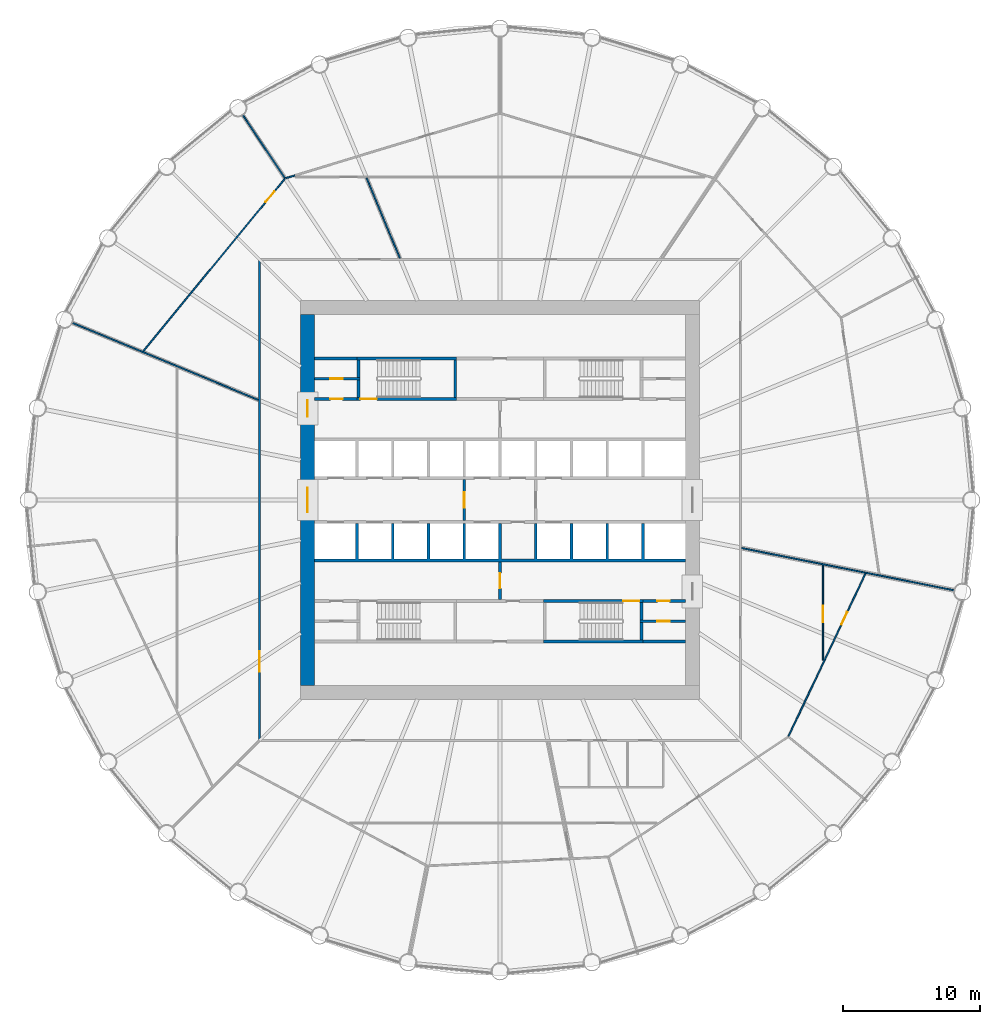
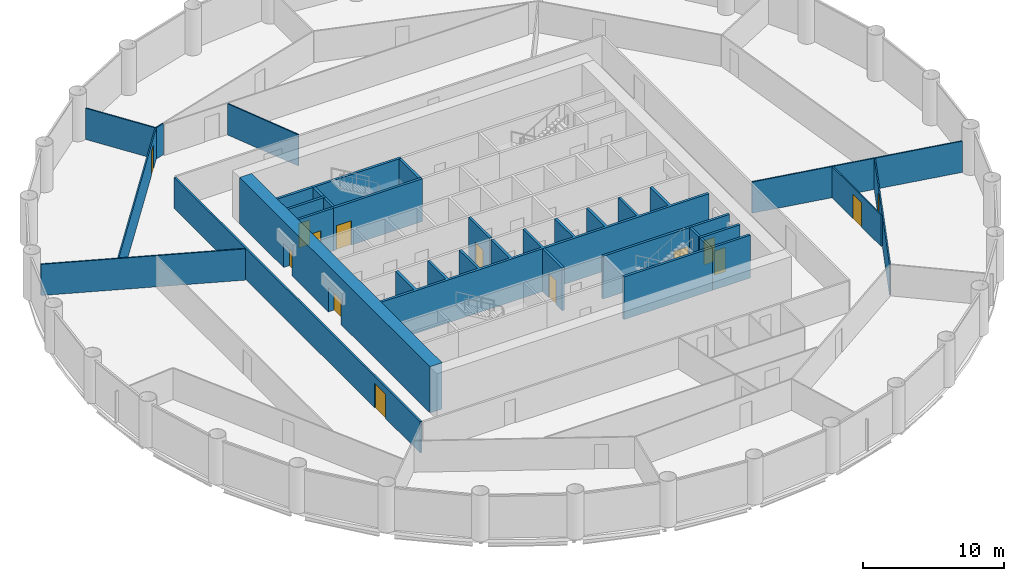
# One storey, part 5 of 8: 28 walls, 14 doors, 14 openings.
"""IFC4 building model written with IfcOpenShell, lengths in metres."""

import ifcopenshell
import ifcopenshell.guid

model = None  # the IFC model being written
_history = None  # IfcOwnerHistory: only IFC2X3 demands one
_inside = {}  # id of a spatial element -> (the spatial element, [elements in it])
_under = {}  # id of a project, library or spatial element -> (it, [spatial elements below it])
_declared = {}  # id of a project -> (the project, [libraries it declares])
_typed = {}  # id of a type object -> (the type object, [elements of that type])
_made_of = {}  # id of a material, layer set ... -> (it, [elements and type objects made of it])


def new_model(schema):
    """Start an empty IFC model of exactly this schema.

    Asked for "IFC4X3", IfcOpenShell would pick the latest addendum, in which some entities
    have other attributes; the version numbers below select the first issue.
    IFC2X3 requires an IfcOwnerHistory on every rooted entity: one is made here for all.
    """
    global model, _history
    if schema == "IFC4X3":
        model = ifcopenshell.file(schema_version=(4, 3, 0, 0))
    else:
        model = ifcopenshell.file(schema=schema)
    _inside.clear()
    _under.clear()
    _declared.clear()
    _typed.clear()
    _made_of.clear()
    _history = None
    if model.schema == "IFC2X3":
        org = make("IfcOrganization", Name="unknown")
        user = make(
            "IfcPersonAndOrganization",
            ThePerson=make("IfcPerson", FamilyName="unknown"),
            TheOrganization=org,
        )
        app = make(
            "IfcApplication",
            ApplicationDeveloper=org,
            Version="unknown",
            ApplicationFullName="unknown",
            ApplicationIdentifier="unknown",
        )
        _history = make(
            "IfcOwnerHistory",
            OwningUser=user,
            OwningApplication=app,
            ChangeAction="ADDED",
            CreationDate=0,
        )
    return model


def make(cls, **values):
    """One entity of the class cls with the attributes given. An attribute that is None is left unset."""
    return model.create_entity(
        cls, **{name: value for name, value in values.items() if value is not None}
    )


def rooted(cls, **values):
    """An entity with a GlobalId (a new one), such as an element, a storey or a relation."""
    return make(cls, GlobalId=ifcopenshell.guid.new(), OwnerHistory=_history, **values)


def si_unit(unit_type, name, prefix=None):
    """IfcSIUnit, for example si_unit("LENGTHUNIT", "METRE", prefix="MILLI")."""
    return make("IfcSIUnit", UnitType=unit_type, Prefix=prefix, Name=name)


def assignment(units):
    """IfcUnitAssignment: the units of a project."""
    return None if units is None else make("IfcUnitAssignment", Units=units)


def point(xyz):
    """IfcCartesianPoint."""
    return None if xyz is None else make("IfcCartesianPoint", Coordinates=xyz)


def direction(xyz):
    """IfcDirection."""
    return None if xyz is None else make("IfcDirection", DirectionRatios=xyz)


def frame(location, z_axis=None, x_axis=None):
    """IfcAxis2Placement3D, a coordinate frame: its origin and axes. An axis left out is left unset."""
    return make(
        "IfcAxis2Placement3D",
        Location=point(location),
        Axis=direction(z_axis),
        RefDirection=direction(x_axis),
    )


def frame_2d(location, x_axis=None):
    """IfcAxis2Placement2D, a coordinate frame in the plane: its origin and x axis."""
    return make(
        "IfcAxis2Placement2D", Location=point(location), RefDirection=direction(x_axis)
    )


def origin():
    """The frame at (0, 0, 0) with its axes left unset."""
    return frame((0.0, 0.0, 0.0))


def place(relative_to, where):
    """IfcLocalPlacement: puts the frame where relative to a parent placement (None: the world)."""
    return make(
        "IfcLocalPlacement", PlacementRelTo=relative_to, RelativePlacement=where
    )


def context(
    kind, dimensions, precision=None, world=None, true_north=None, identifier=None
):
    """IfcGeometricRepresentationContext, for example the 3D "Model" context."""
    return make(
        "IfcGeometricRepresentationContext",
        ContextIdentifier=identifier,
        ContextType=kind,
        CoordinateSpaceDimension=dimensions,
        Precision=precision,
        WorldCoordinateSystem=world,
        TrueNorth=true_north,
    )


def subcontext(parent, identifier, kind, view, scale=None):
    """IfcGeometricRepresentationSubContext, for example "Body" below "Model"."""
    return make(
        "IfcGeometricRepresentationSubContext",
        ContextIdentifier=identifier,
        ContextType=kind,
        ParentContext=parent,
        TargetScale=scale,
        TargetView=view,
    )


def project(units=None, contexts=None):
    """IfcProject with its units and contexts."""
    return rooted(
        "IfcProject",
        Name="project",
        RepresentationContexts=contexts,
        UnitsInContext=assignment(units),
    )


def spatial(cls, under=None, at=None, **own):
    """A site, building, storey or space (cls), placed at a placement, below another one or the project."""
    s = rooted(cls, ObjectPlacement=at, **own)
    if under is not None:
        _under.setdefault(under.id(), (under, []))[1].append(s)
    return s


def polyline(points):
    """IfcPolyline through the points."""
    return make("IfcPolyline", Points=[point(p) for p in points])


def profile(cls, at=None, kind="AREA", **sizes):
    """A parametric profile (cls). Its sizes go by their IFC names, for example OverallWidth=200.0."""
    return make(cls, ProfileType=kind, Position=at, **sizes)


def rectangle(**sizes):
    """IfcRectangleProfileDef."""
    return profile("IfcRectangleProfileDef", **sizes)


def outline(outer, holes=None, kind="AREA"):
    """IfcArbitraryClosedProfileDef: a profile drawn as a closed curve; with holes, ...WithVoids."""
    if holes is None:
        return make("IfcArbitraryClosedProfileDef", ProfileType=kind, OuterCurve=outer)
    return make(
        "IfcArbitraryProfileDefWithVoids",
        ProfileType=kind,
        OuterCurve=outer,
        InnerCurves=holes,
    )


def extrude(swept, where, along, depth):
    """IfcExtrudedAreaSolid: the profile swept, set in the frame where, extruded along a direction by depth."""
    return make(
        "IfcExtrudedAreaSolid",
        SweptArea=swept,
        Position=where,
        ExtrudedDirection=direction(along),
        Depth=depth,
    )


def shape(context_of_items, identifier, shape_type, items):
    """IfcShapeRepresentation: the items that make up one representation, for example the "Body"."""
    return make(
        "IfcShapeRepresentation",
        ContextOfItems=context_of_items,
        RepresentationIdentifier=identifier,
        RepresentationType=shape_type,
        Items=items,
    )


def material(Name=None, Category=None):
    """IfcMaterial."""
    return make("IfcMaterial", Name=Name, Category=Category)


def layer(
    of_material, thickness, ventilated=None, Name=None, Category=None, Priority=None
):
    """IfcMaterialLayer: one layer of a wall or slab, of a material (None: an air gap)."""
    return make(
        "IfcMaterialLayer",
        Material=of_material,
        LayerThickness=thickness,
        IsVentilated=ventilated,
        Name=Name,
        Category=Category,
        Priority=Priority,
    )


def layer_set(layers, Name=None):
    """IfcMaterialLayerSet."""
    return make("IfcMaterialLayerSet", MaterialLayers=layers, LayerSetName=Name)


def made_of(thing, what):
    """Note that an element or type object is made of a material, layer set ...; save() writes the relation."""
    if what is not None:
        _made_of.setdefault(what.id(), (what, []))[1].append(thing)
    return thing


def type_object(cls, material=None, **own):
    """A type object (cls), such as IfcWallType, which elements share."""
    return made_of(rooted(cls, **own), material)


def element(
    cls,
    number,
    at=None,
    inside=None,
    cuts=None,
    type_object=None,
    material=None,
    context=None,
    identifier="Body",
    shape_type=None,
    held_by="IfcProductDefinitionShape",
    body=None,
    shapes=None,
    **own,
):
    """One element of the class cls, such as IfcWall. Its Tag is "e" and its number.

    at: its placement. inside: the storey or other place that contains it. cuts: it is an
    opening in that element (IfcRelVoidsElement). A single representation is given by context,
    identifier, shape_type and body (its items); several are given by shapes. held_by: the class
    of the entity that holds the representations. save() writes the other relations.
    """
    e = rooted(cls, Tag="e%d" % number, ObjectPlacement=at, **own)
    if body is not None:
        shapes = [shape(context, identifier, shape_type, body)]
    if shapes is not None:
        e.Representation = make(held_by, Representations=shapes)
    if inside is not None:
        _inside.setdefault(inside.id(), (inside, []))[1].append(e)
    if cuts is not None:
        rooted(
            "IfcRelVoidsElement", RelatingBuildingElement=cuts, RelatedOpeningElement=e
        )
    if type_object is not None:
        _typed.setdefault(type_object.id(), (type_object, []))[1].append(e)
    return made_of(e, material)


def fill(opening, filler):
    """IfcRelFillsElement: the door or window that sits in an opening."""
    return rooted(
        "IfcRelFillsElement",
        RelatingOpeningElement=opening,
        RelatedBuildingElement=filler,
    )


def aggregate(whole, parts):
    """IfcRelAggregates: a whole, such as a stair, and the parts it consists of."""
    return rooted("IfcRelAggregates", RelatingObject=whole, RelatedObjects=parts)


def save(model, path):
    """Write the relations noted so far, then the file.

    IfcRelAggregates (storeys below a building ...), IfcRelContainedInSpatialStructure (elements
    in a storey), IfcRelDefinesByType, IfcRelAssociatesMaterial and IfcRelDeclares: one each for
    every whole, place, type object, material and project.
    """
    for whole, parts in _under.values():
        aggregate(whole, parts)
    for where, things in _inside.values():
        rooted(
            "IfcRelContainedInSpatialStructure",
            RelatedElements=things,
            RelatingStructure=where,
        )
    for kind, things in _typed.values():
        rooted("IfcRelDefinesByType", RelatedObjects=things, RelatingType=kind)
    for what, things in _made_of.values():
        rooted("IfcRelAssociatesMaterial", RelatedObjects=things, RelatingMaterial=what)
    for by, libraries in _declared.values():
        rooted("IfcRelDeclares", RelatingContext=by, RelatedDefinitions=libraries)
    model.write(path)


model = new_model("IFC4")

# Units and contexts
model_context = context("Model", 3, precision=1e-05, world=origin(), true_north=direction((0.0, 1.0)))
body_context = subcontext(model_context, "Body", "Model", "MODEL_VIEW")
ifc_project = project(units=[si_unit("LENGTHUNIT", "METRE"), si_unit("AREAUNIT", "SQUARE_METRE"), si_unit("VOLUMEUNIT", "CUBIC_METRE"), si_unit("PLANEANGLEUNIT", "RADIAN"), si_unit("MASSUNIT", "GRAM", prefix="KILO")], contexts=[model_context])

# Site, building, storey
site_placement = place(None, origin())
site = spatial("IfcSite", under=ifc_project, at=site_placement, CompositionType="ELEMENT")
building_placement = place(site_placement, origin())
building = spatial("IfcBuilding", under=site, at=building_placement, Name="Corvane Civic Tower", CompositionType="ELEMENT")
storey_placement = place(building_placement, frame((0.0, 0.0, 94.5)))
storey = spatial("IfcBuildingStorey", under=building, at=storey_placement, Name="L21", CompositionType="ELEMENT", Elevation=94.5)

# Wall, openings, doors
ifc_material_1 = material(Name="Concrete C70/85", Category="concrete")
ifc_layer_1 = layer(ifc_material_1, 1.0)
ifc_layer_set_1 = layer_set([ifc_layer_1], Name="Concrete C70/85")
wall_type_1 = type_object("IfcWallType", Name="CORE WALL 1000 C70/85", PredefinedType="SHEAR", material=ifc_layer_set_1)
wall_1_placement = place(storey_placement, frame((-14.0, -13.5, 0.0), z_axis=(0.0, 0.0, 1.0), x_axis=(0.0, 1.0, 0.0)))
wall_1 = element("IfcWall", 1, at=wall_1_placement, inside=storey, type_object=wall_type_1, Name="W-L21-core-W", PredefinedType="SHEAR", context=body_context, shape_type="SweptSolid", body=[
    extrude(rectangle(XDim=27.0, YDim=1.0, at=frame_2d((13.5, 0.0))), origin(), (0.0, 0.0, 1.0), 4.0),
])
opening_1_placement = place(wall_1_placement, frame((12.60009765625, 0.0, 0.0)))
opening_1 = element("IfcOpeningElement", 2, at=opening_1_placement, cuts=wall_1, Name="Opening L21.C22", PredefinedType="OPENING", context=body_context, shape_type="SweptSolid", body=[
    extrude(rectangle(XDim=1.800048828125, YDim=2.10009765625, at=frame_2d((0.89990234375, 1.050048828125))), frame((0.0, 0.510009765625, 0.0), z_axis=(0.0, -1.0, 0.0), x_axis=(1.0, 0.0, 0.0)), (0.0, 0.0, 1.0), 1.02001953125),
])
opening_2_placement = place(wall_1_placement, frame((19.550048828125, 0.0, 0.0)))
opening_2 = element("IfcOpeningElement", 3, at=opening_2_placement, cuts=wall_1, Name="Opening L21.C24", PredefinedType="OPENING", context=body_context, shape_type="SweptSolid", body=[
    extrude(rectangle(XDim=1.199951171875, YDim=2.10009765625, at=frame_2d((0.60009765625, 1.050048828125))), frame((0.0, 0.510009765625, 0.0), z_axis=(0.0, -1.0, 0.0), x_axis=(1.0, 0.0, 0.0)), (0.0, 0.0, 1.0), 1.02001953125),
])
ifc_material_2 = material(Name="Steel fire door leaf", Category="steel")
door_type_1 = type_object("IfcDoorType", Name="CR-DOOR-CORE-1800", OperationType="DOUBLE_DOOR_SINGLE_SWING", PredefinedType="DOOR", material=ifc_material_2)
door_1_placement = place(opening_1_placement, origin())
door_1 = element("IfcDoor", 4, at=door_1_placement, inside=storey, type_object=door_type_1, Name="L21 door", OperationType="DOUBLE_DOOR_SINGLE_SWING", OverallHeight=2.10009765625, OverallWidth=1.800048828125, PredefinedType="DOOR", context=body_context, shape_type="SweptSolid", body=[
    extrude(rectangle(XDim=1.800048828125, YDim=2.10009765625, at=frame_2d((0.89990234375, 1.050048828125))), frame((0.0, 0.02490234375, 0.0), z_axis=(0.0, -1.0, 0.0), x_axis=(1.0, 0.0, 0.0)), (0.0, 0.0, 1.0), 0.050048828125),
])
fill(opening_1, door_1)
door_2_placement = place(opening_2_placement, origin())
door_2 = element("IfcDoor", 5, at=door_2_placement, inside=storey, type_object=door_type_1, Name="L21 door", OperationType="DOUBLE_DOOR_SINGLE_SWING", OverallHeight=2.10009765625, OverallWidth=1.199951171875, PredefinedType="DOOR", context=body_context, shape_type="SweptSolid", body=[
    extrude(rectangle(XDim=1.199951171875, YDim=2.10009765625, at=frame_2d((0.60009765625, 1.050048828125))), frame((0.0, 0.02490234375, 0.0), z_axis=(0.0, -1.0, 0.0), x_axis=(1.0, 0.0, 0.0)), (0.0, 0.0, 1.0), 0.050048828125),
])
fill(opening_2, door_2)

# Wall, opening, door
ifc_material_3 = material(Name="Concrete C30/37", Category="concrete")
ifc_layer_2 = layer(ifc_material_3, 0.199951171875)
ifc_layer_set_2 = layer_set([ifc_layer_2], Name="Concrete C30/37")
wall_type_2 = type_object("IfcWallType", Name="CR-WALL-200", PredefinedType="PARTITIONING", material=ifc_layer_set_2)
wall_2_placement = place(storey_placement, frame((10.199951171875, -8.824951171875, 0.0), z_axis=(0.0, 0.0, 1.0), x_axis=(1.0, 0.0, 0.0)))
wall_2 = element("IfcWall", 6, at=wall_2_placement, inside=storey, type_object=wall_type_2, Name="L21 partition wall", PredefinedType="PARTITIONING", context=body_context, shape_type="SweptSolid", body=[
    extrude(rectangle(XDim=3.300048828125, YDim=0.199951171875, at=frame_2d((1.64990234375, 0.0))), origin(), (0.0, 0.0, 1.0), 3.699951171875),
])
opening_3_placement = place(wall_2_placement, frame((1.25, 0.0, 0.0)))
opening_3 = element("IfcOpeningElement", 7, at=opening_3_placement, cuts=wall_2, Name="Opening L21.C13", PredefinedType="OPENING", context=body_context, shape_type="SweptSolid", body=[
    extrude(rectangle(XDim=0.89990234375, YDim=2.10009765625, at=frame_2d((0.449951171875, 1.050048828125))), frame((0.0, 0.10986328125, 0.0), z_axis=(0.0, -1.0, 0.0), x_axis=(1.0, 0.0, 0.0)), (0.0, 0.0, 1.0), 0.219970703125),
])
ifc_material_4 = material(Name="Steel fire door leaf", Category="steel")
door_type_2 = type_object("IfcDoorType", Name="CR-DOOR-900", OperationType="SINGLE_SWING_LEFT", PredefinedType="DOOR", material=ifc_material_4)
door_3_placement = place(opening_3_placement, origin())
door_3 = element("IfcDoor", 8, at=door_3_placement, inside=storey, type_object=door_type_2, Name="L21 door", OperationType="SINGLE_SWING_LEFT", OverallHeight=2.10009765625, OverallWidth=0.89990234375, PredefinedType="DOOR", context=body_context, shape_type="SweptSolid", body=[
    extrude(rectangle(XDim=0.89990234375, YDim=2.10009765625, at=frame_2d((0.449951171875, 1.050048828125))), frame((0.0, 0.02490234375, 0.0), z_axis=(0.0, -1.0, 0.0), x_axis=(1.0, 0.0, 0.0)), (0.0, 0.0, 1.0), 0.050048828125),
])
fill(opening_3, door_3)

wall_3_placement = place(storey_placement, frame((10.39990234375, -7.35009765625, 0.0), z_axis=(0.0, 0.0, 1.0), x_axis=(1.0, 0.0, 0.0)))
wall_3 = element("IfcWall", 9, at=wall_3_placement, inside=storey, type_object=wall_type_2, Name="L21 core partition wall", PredefinedType="PARTITIONING", context=body_context, shape_type="SweptSolid", body=[
    extrude(rectangle(XDim=3.10009765625, YDim=0.199951171875, at=frame_2d((1.550048828125, 0.0))), origin(), (0.0, 0.0, 1.0), 3.699951171875),
])
opening_4_placement = place(wall_3_placement, frame((1.050048828125, 0.0, 0.0)))
opening_4 = element("IfcOpeningElement", 10, at=opening_4_placement, cuts=wall_3, Name="Opening L21.C12", PredefinedType="OPENING", context=body_context, shape_type="SweptSolid", body=[
    extrude(rectangle(XDim=0.89990234375, YDim=2.10009765625, at=frame_2d((0.449951171875, 1.050048828125))), frame((0.0, 0.10986328125, 0.0), z_axis=(0.0, -1.0, 0.0), x_axis=(1.0, 0.0, 0.0)), (0.0, 0.0, 1.0), 0.219970703125),
])
door_4_placement = place(opening_4_placement, origin())
door_4 = element("IfcDoor", 11, at=door_4_placement, inside=storey, type_object=door_type_2, Name="L21 door", OperationType="SINGLE_SWING_LEFT", OverallHeight=2.10009765625, OverallWidth=0.89990234375, PredefinedType="DOOR", context=body_context, shape_type="SweptSolid", body=[
    extrude(rectangle(XDim=0.89990234375, YDim=2.10009765625, at=frame_2d((0.449951171875, 1.050048828125))), frame((0.0, 0.02490234375, 0.0), z_axis=(0.0, -1.0, 0.0), x_axis=(1.0, 0.0, 0.0)), (0.0, 0.0, 1.0), 0.050048828125),
])
fill(opening_4, door_4)

wall_4_placement = place(storey_placement, frame((-13.5, 7.35009765625, 0.0), z_axis=(0.0, 0.0, 1.0), x_axis=(1.0, 0.0, 0.0)))
wall_4 = element("IfcWall", 12, at=wall_4_placement, inside=storey, type_object=wall_type_2, Name="L21 core partition wall", PredefinedType="PARTITIONING", context=body_context, shape_type="SweptSolid", body=[
    extrude(rectangle(XDim=3.10009765625, YDim=0.199951171875, at=frame_2d((1.550048828125, 0.0))), origin(), (0.0, 0.0, 1.0), 3.699951171875),
])
opening_5_placement = place(wall_4_placement, frame((1.14990234375, 0.0, 0.0)))
opening_5 = element("IfcOpeningElement", 13, at=opening_5_placement, cuts=wall_4, Name="Opening L21.C06", PredefinedType="OPENING", context=body_context, shape_type="SweptSolid", body=[
    extrude(rectangle(XDim=0.89990234375, YDim=2.10009765625, at=frame_2d((0.449951171875, 1.050048828125))), frame((0.0, 0.10986328125, 0.0), z_axis=(0.0, -1.0, 0.0), x_axis=(1.0, 0.0, 0.0)), (0.0, 0.0, 1.0), 0.219970703125),
])
door_5_placement = place(opening_5_placement, origin())
door_5 = element("IfcDoor", 14, at=door_5_placement, inside=storey, type_object=door_type_2, Name="L21 door", OperationType="SINGLE_SWING_LEFT", OverallHeight=2.10009765625, OverallWidth=0.89990234375, PredefinedType="DOOR", context=body_context, shape_type="SweptSolid", body=[
    extrude(rectangle(XDim=0.89990234375, YDim=2.10009765625, at=frame_2d((0.449951171875, 1.050048828125))), frame((0.0, 0.02490234375, 0.0), z_axis=(0.0, -1.0, 0.0), x_axis=(1.0, 0.0, 0.0)), (0.0, 0.0, 1.0), 0.050048828125),
])
fill(opening_5, door_5)

wall_5_placement = place(storey_placement, frame((-13.5, 8.824951171875, 0.0), z_axis=(0.0, 0.0, 1.0), x_axis=(1.0, 0.0, 0.0)))
wall_5 = element("IfcWall", 15, at=wall_5_placement, inside=storey, type_object=wall_type_2, Name="L21 partition wall", PredefinedType="PARTITIONING", context=body_context, shape_type="SweptSolid", body=[
    extrude(rectangle(XDim=3.300048828125, YDim=0.199951171875, at=frame_2d((1.64990234375, 0.0))), origin(), (0.0, 0.0, 1.0), 3.699951171875),
])
opening_6_placement = place(wall_5_placement, frame((1.14990234375, 0.0, 0.0)))
opening_6 = element("IfcOpeningElement", 16, at=opening_6_placement, cuts=wall_5, Name="Opening L21.C07", PredefinedType="OPENING", context=body_context, shape_type="SweptSolid", body=[
    extrude(rectangle(XDim=0.89990234375, YDim=2.10009765625, at=frame_2d((0.449951171875, 1.050048828125))), frame((0.0, 0.10986328125, 0.0), z_axis=(0.0, -1.0, 0.0), x_axis=(1.0, 0.0, 0.0)), (0.0, 0.0, 1.0), 0.219970703125),
])
door_6_placement = place(opening_6_placement, origin())
door_6 = element("IfcDoor", 17, at=door_6_placement, inside=storey, type_object=door_type_2, Name="L21 door", OperationType="SINGLE_SWING_LEFT", OverallHeight=2.10009765625, OverallWidth=0.89990234375, PredefinedType="DOOR", context=body_context, shape_type="SweptSolid", body=[
    extrude(rectangle(XDim=0.89990234375, YDim=2.10009765625, at=frame_2d((0.449951171875, 1.050048828125))), frame((0.0, 0.02490234375, 0.0), z_axis=(0.0, -1.0, 0.0), x_axis=(1.0, 0.0, 0.0)), (0.0, 0.0, 1.0), 0.050048828125),
])
fill(opening_6, door_6)

wall_6_placement = place(storey_placement, frame((-2.60009765625, -1.5, 0.0), z_axis=(0.0, 0.0, 1.0), x_axis=(0.0, 1.0, 0.0)))
wall_6 = element("IfcWall", 18, at=wall_6_placement, inside=storey, type_object=wall_type_2, Name="L21 firefighting lobby wall", PredefinedType="PARTITIONING", context=body_context, shape_type="SweptSolid", body=[
    extrude(rectangle(XDim=3.0, YDim=0.199951171875, at=frame_2d((1.5, 0.0))), origin(), (0.0, 0.0, 1.0), 3.699951171875),
])
opening_7_placement = place(wall_6_placement, frame((0.949951171875, 0.0, 0.0)))
opening_7 = element("IfcOpeningElement", 19, at=opening_7_placement, cuts=wall_6, Name="Opening L21.C18", PredefinedType="OPENING", context=body_context, shape_type="SweptSolid", body=[
    extrude(rectangle(XDim=1.10009765625, YDim=2.10009765625, at=frame_2d((0.550048828125, 1.050048828125))), frame((0.0, 0.10986328125, 0.0), z_axis=(0.0, -1.0, 0.0), x_axis=(1.0, 0.0, 0.0)), (0.0, 0.0, 1.0), 0.219970703125),
])
ifc_material_5 = material(Name="Steel fire door leaf", Category="steel")
door_type_3 = type_object("IfcDoorType", Name="CR-DOOR-FFL-1100", OperationType="SINGLE_SWING_LEFT", PredefinedType="DOOR", material=ifc_material_5)
door_7_placement = place(opening_7_placement, origin())
door_7 = element("IfcDoor", 20, at=door_7_placement, inside=storey, type_object=door_type_3, Name="L21 lobby door", OperationType="SINGLE_SWING_LEFT", OverallHeight=2.10009765625, OverallWidth=1.10009765625, PredefinedType="DOOR", context=body_context, shape_type="SweptSolid", body=[
    extrude(rectangle(XDim=1.10009765625, YDim=2.10009765625, at=frame_2d((0.550048828125, 1.050048828125))), frame((0.0, 0.02490234375, 0.0), z_axis=(0.0, -1.0, 0.0), x_axis=(1.0, 0.0, 0.0)), (0.0, 0.0, 1.0), 0.050048828125),
])
fill(opening_7, door_7)

wall_7_placement = place(storey_placement, frame((0.0, -7.25, 0.0), z_axis=(0.0, 0.0, 1.0), x_axis=(0.0, 1.0, 0.0)))
wall_7 = element("IfcWall", 21, at=wall_7_placement, inside=storey, type_object=wall_type_2, Name="L21 core partition wall", PredefinedType="PARTITIONING", context=body_context, shape_type="SweptSolid", body=[
    extrude(rectangle(XDim=2.75, YDim=0.199951171875, at=frame_2d((1.375, 0.0))), origin(), (0.0, 0.0, 1.0), 3.699951171875),
])
opening_8_placement = place(wall_7_placement, frame((0.824951171875, 0.0, 0.0)))
opening_8 = element("IfcOpeningElement", 22, at=opening_8_placement, cuts=wall_7, Name="Opening L21.C21", PredefinedType="OPENING", context=body_context, shape_type="SweptSolid", body=[
    extrude(rectangle(XDim=1.10009765625, YDim=2.10009765625, at=frame_2d((0.550048828125, 1.050048828125))), frame((0.0, 0.10986328125, 0.0), z_axis=(0.0, -1.0, 0.0), x_axis=(1.0, 0.0, 0.0)), (0.0, 0.0, 1.0), 0.219970703125),
])
door_8_placement = place(opening_8_placement, origin())
door_8 = element("IfcDoor", 23, at=door_8_placement, inside=storey, type_object=door_type_3, Name="L21 lobby door", OperationType="SINGLE_SWING_LEFT", OverallHeight=2.10009765625, OverallWidth=1.10009765625, PredefinedType="DOOR", context=body_context, shape_type="SweptSolid", body=[
    extrude(rectangle(XDim=1.10009765625, YDim=2.10009765625, at=frame_2d((0.550048828125, 1.050048828125))), frame((0.0, 0.02490234375, 0.0), z_axis=(0.0, -1.0, 0.0), x_axis=(1.0, 0.0, 0.0)), (0.0, 0.0, 1.0), 0.050048828125),
])
fill(opening_8, door_8)

# Walls
wall_8_placement = place(storey_placement, origin())
element("IfcWall", 24, at=wall_8_placement, inside=storey, type_object=wall_type_2, Name="L21 core partition wall", PredefinedType="PARTITIONING", context=body_context, shape_type="SweptSolid", body=[
    extrude(outline(polyline([(-13.5, 10.199951171875), (-13.5, 10.39990234375), (-10.39990234375, 10.39990234375), (-10.39990234375, 10.199951171875), (-13.5, 10.199951171875)])), origin(), (0.0, 0.0, 1.0), 3.699951171875),
])
wall_9_placement = place(storey_placement, origin())
element("IfcWall", 25, at=wall_9_placement, inside=storey, type_object=wall_type_2, Name="L21 core partition wall", PredefinedType="PARTITIONING", context=body_context, shape_type="SweptSolid", body=[
    extrude(outline(polyline([(-10.5, -1.699951171875), (-10.300048828125, -1.699951171875), (-10.300048828125, -4.300048828125), (-7.89990234375, -4.300048828125), (-7.89990234375, -1.699951171875), (-7.699951171875, -1.699951171875), (-7.699951171875, -4.300048828125), (-5.300048828125, -4.300048828125), (-5.300048828125, -1.699951171875), (-5.10009765625, -1.699951171875), (-5.10009765625, -4.300048828125), (-2.699951171875, -4.300048828125), (-2.699951171875, -1.699951171875), (-2.5, -1.699951171875), (-2.5, -4.300048828125), (-0.10009765625, -4.300048828125), (-0.10009765625, -1.699951171875), (0.10009765625, -1.699951171875), (0.10009765625, -4.300048828125), (2.5, -4.300048828125), (2.5, -1.699951171875), (2.699951171875, -1.699951171875), (2.699951171875, -4.300048828125), (5.10009765625, -4.300048828125), (5.10009765625, -1.699951171875), (5.300048828125, -1.699951171875), (5.300048828125, -4.300048828125), (7.699951171875, -4.300048828125), (7.699951171875, -1.699951171875), (7.89990234375, -1.699951171875), (7.89990234375, -4.300048828125), (10.300048828125, -4.300048828125), (10.300048828125, -1.699951171875), (10.5, -1.699951171875), (10.5, -4.300048828125), (13.5, -4.300048828125), (13.5, -4.5), (-13.5, -4.5), (-13.5, -4.300048828125), (-10.5, -4.300048828125), (-10.5, -1.699951171875)])), origin(), (0.0, 0.0, 1.0), 3.699951171875),
])
wall_10_placement = place(storey_placement, origin())
element("IfcWall", 26, at=wall_10_placement, inside=storey, type_object=wall_type_2, Name="L21 core partition wall", PredefinedType="PARTITIONING", context=body_context, shape_type="SweptSolid", body=[
    extrude(outline(polyline([(13.5, -10.39990234375), (10.39990234375, -10.39990234375), (10.39990234375, -10.199951171875), (13.5, -10.199951171875), (13.5, -10.39990234375)])), origin(), (0.0, 0.0, 1.0), 3.699951171875),
])

# Wall, opening, door
ifc_material_6 = material(Name="Plasterboard")
ifc_layer_3 = layer(ifc_material_6, 0.10009765625)
ifc_layer_set_3 = layer_set([ifc_layer_3], Name="Plasterboard")
wall_type_3 = type_object("IfcWallType", Name="Partition 100 plasterboard on studs", PredefinedType="PARTITIONING", material=ifc_layer_set_3)
wall_11_placement = place(storey_placement, frame((20.997314453125, -17.18310546875, 0.0), z_axis=(0.0, 0.0, 1.0), x_axis=(0.427532924297, 0.90399977801, 0.0)))
wall_11 = element("IfcWall", 27, at=wall_11_placement, inside=storey, type_object=wall_type_3, Name="Partition L21.019", PredefinedType="PARTITIONING", context=body_context, shape_type="SweptSolid", body=[
    extrude(rectangle(XDim=13.086669921875, YDim=0.10009765625, at=frame_2d((6.54345703125, 0.0))), origin(), (0.0, 0.0, 1.0), 2.699951171875),
])
opening_9_placement = place(wall_11_placement, frame((8.99072265625, 0.0, 0.0)))
opening_9 = element("IfcOpeningElement", 28, at=opening_9_placement, cuts=wall_11, Name="Opening L21.013", PredefinedType="OPENING", context=body_context, shape_type="SweptSolid", body=[
    extrude(rectangle(XDim=1.0, YDim=2.10009765625, at=frame_2d((0.5, 1.050048828125))), frame((0.0, 0.06005859375, 0.0), z_axis=(0.0, -1.0, 0.0), x_axis=(1.0, 0.0, 0.0)), (0.0, 0.0, 1.0), 0.1201171875),
])
ifc_material_7 = material(Name="Timber", Category="wood")
door_type_4 = type_object("IfcDoorType", Name="Single door 1000", OperationType="NOTDEFINED", PredefinedType="DOOR", material=ifc_material_7)
door_9_placement = place(opening_9_placement, frame((1.0, 0.0, 0.0), z_axis=(0.0, 0.0, 1.0), x_axis=(-1.0, 0.0, 0.0)))
door_9 = element("IfcDoor", 29, at=door_9_placement, inside=storey, type_object=door_type_4, Name="Door L21.013", OperationType="SINGLE_SWING_LEFT", OverallHeight=2.10009765625, OverallWidth=1.0, PredefinedType="DOOR", context=body_context, shape_type="SweptSolid", body=[
    extrude(rectangle(XDim=1.0, YDim=2.10009765625, at=frame_2d((0.5, 1.050048828125))), frame((0.0, 0.02490234375, 0.0), z_axis=(0.0, -1.0, 0.0), x_axis=(1.0, 0.0, 0.0)), (0.0, 0.0, 1.0), 0.050048828125),
])
fill(opening_9, door_9)

wall_12_placement = place(storey_placement, frame((23.5, -11.668701171875, 0.0), z_axis=(0.0, 0.0, 1.0), x_axis=(0.0, 1.0, 0.0)))
wall_12 = element("IfcWall", 30, at=wall_12_placement, inside=storey, type_object=wall_type_3, Name="Partition L21.021", PredefinedType="PARTITIONING", context=body_context, shape_type="SweptSolid", body=[
    extrude(rectangle(XDim=6.933349609375, YDim=0.10009765625, at=frame_2d((3.466796875, 0.0))), origin(), (0.0, 0.0, 1.0), 2.699951171875),
])
opening_10_placement = place(wall_12_placement, frame((2.785888671875, 0.0, 0.0)))
opening_10 = element("IfcOpeningElement", 31, at=opening_10_placement, cuts=wall_12, Name="Opening L21.018", PredefinedType="OPENING", context=body_context, shape_type="SweptSolid", body=[
    extrude(rectangle(XDim=1.199951171875, YDim=2.10009765625, at=frame_2d((0.60009765625, 1.050048828125))), frame((0.0, 0.06005859375, 0.0), z_axis=(0.0, -1.0, 0.0), x_axis=(1.0, 0.0, 0.0)), (0.0, 0.0, 1.0), 0.1201171875),
])
ifc_material_8 = material(Name="Timber", Category="wood")
door_type_5 = type_object("IfcDoorType", Name="Double door 1200", OperationType="NOTDEFINED", PredefinedType="DOOR", material=ifc_material_8)
door_10_placement = place(opening_10_placement, frame((1.199951171875, 0.0, 0.0), z_axis=(0.0, 0.0, 1.0), x_axis=(-1.0, 0.0, 0.0)))
door_10 = element("IfcDoor", 32, at=door_10_placement, inside=storey, type_object=door_type_5, Name="Door L21.018", OperationType="DOUBLE_DOOR_SINGLE_SWING", OverallHeight=2.10009765625, OverallWidth=1.199951171875, PredefinedType="DOOR", context=body_context, shape_type="SweptSolid", body=[
    extrude(rectangle(XDim=1.199951171875, YDim=2.10009765625, at=frame_2d((0.60009765625, 1.050048828125))), frame((0.0, 0.02490234375, 0.0), z_axis=(0.0, -1.0, 0.0), x_axis=(1.0, 0.0, 0.0)), (0.0, 0.0, 1.0), 0.050048828125),
])
fill(opening_10, door_10)

# Walls
wall_13_placement = place(storey_placement, frame((17.584716796875, -3.497802734375, 0.0), z_axis=(0.0, 0.0, 1.0), x_axis=(0.980786008626, -0.195086660958, 0.0)))
element("IfcWall", 33, at=wall_13_placement, inside=storey, type_object=wall_type_3, Name="Partition L21.022", PredefinedType="PARTITIONING", context=body_context, shape_type="SweptSolid", body=[
    extrude(rectangle(XDim=15.735595703125, YDim=0.10009765625, at=frame_2d((7.86767578125, 0.0))), origin(), (0.0, 0.0, 1.0), 2.699951171875),
])
wall_14_placement = place(storey_placement, frame((-31.102294921875, 12.883056640625, 0.0), z_axis=(0.0, 0.0, 1.0), x_axis=(0.923876205311, -0.382691464839, 0.0)))
element("IfcWall", 34, at=wall_14_placement, inside=storey, type_object=wall_type_3, Name="Partition L21.025", PredefinedType="PARTITIONING", context=body_context, shape_type="SweptSolid", body=[
    extrude(rectangle(XDim=14.621337890625, YDim=0.10009765625, at=frame_2d((7.310546875, 0.0))), origin(), (0.0, 0.0, 1.0), 2.699951171875),
])

# Wall, opening, door
wall_15_placement = place(storey_placement, frame((-25.95751953125, 10.82177734375, 0.0), z_axis=(0.0, 0.0, 1.0), x_axis=(0.634388510602, 0.773014370899, 0.0)))
wall_15 = element("IfcWall", 35, at=wall_15_placement, inside=storey, type_object=wall_type_3, Name="Partition L21.026", PredefinedType="PARTITIONING", context=body_context, shape_type="SweptSolid", body=[
    extrude(rectangle(XDim=16.234375, YDim=0.10009765625, at=frame_2d((8.1171875, 0.0))), origin(), (0.0, 0.0, 1.0), 2.699951171875),
])
opening_11_placement = place(wall_15_placement, frame((14.042724609375, 0.0, 0.0)))
opening_11 = element("IfcOpeningElement", 36, at=opening_11_placement, cuts=wall_15, Name="Opening L21.004", PredefinedType="OPENING", context=body_context, shape_type="SweptSolid", body=[
    extrude(rectangle(XDim=1.0, YDim=2.10009765625, at=frame_2d((0.5, 1.050048828125))), frame((0.0, 0.06005859375, 0.0), z_axis=(0.0, -1.0, 0.0), x_axis=(1.0, 0.0, 0.0)), (0.0, 0.0, 1.0), 0.1201171875),
])
door_11_placement = place(opening_11_placement, origin())
door_11 = element("IfcDoor", 37, at=door_11_placement, inside=storey, type_object=door_type_4, Name="Door L21.004", OperationType="SINGLE_SWING_LEFT", OverallHeight=2.10009765625, OverallWidth=1.0, PredefinedType="DOOR", context=body_context, shape_type="SweptSolid", body=[
    extrude(rectangle(XDim=1.0, YDim=2.10009765625, at=frame_2d((0.5, 1.050048828125))), frame((0.0, 0.02490234375, 0.0), z_axis=(0.0, -1.0, 0.0), x_axis=(1.0, 0.0, 0.0)), (0.0, 0.0, 1.0), 0.050048828125),
])
fill(opening_11, door_11)

# Walls
wall_16_placement = place(storey_placement, frame((-9.705322265625, 23.430908203125, 0.0), z_axis=(0.0, 0.0, 1.0), x_axis=(0.382682843627, -0.923879776374, 0.0)))
element("IfcWall", 38, at=wall_16_placement, inside=storey, type_object=wall_type_3, Name="Partition L21.030", PredefinedType="PARTITIONING", context=body_context, shape_type="SweptSolid", body=[
    extrude(rectangle(XDim=6.31787109375, YDim=0.10009765625, at=frame_2d((3.158935546875, 0.0))), origin(), (0.0, 0.0, 1.0), 2.699951171875),
])
wall_17_placement = place(storey_placement, frame((-15.599609375, 23.410400390625, 0.0), z_axis=(0.0, 0.0, 1.0), x_axis=(0.956940377222, 0.290284540481, 0.0)))
element("IfcWall", 39, at=wall_17_placement, inside=storey, type_object=wall_type_3, Name="Partition L21.032", PredefinedType="PARTITIONING", context=body_context, shape_type="SweptSolid", body=[
    extrude(rectangle(XDim=0.708984375, YDim=0.10009765625, at=frame_2d((0.3544921875, 0.0))), origin(), (0.0, 0.0, 1.0), 2.699951171875),
])
wall_18_placement = place(storey_placement, frame((-18.703369140625, 27.991455078125, 0.0), z_axis=(0.0, 0.0, 1.0), x_axis=(0.555572900279, -0.83146783009, 0.0)))
element("IfcWall", 40, at=wall_18_placement, inside=storey, type_object=wall_type_3, Name="Partition L21.034", PredefinedType="PARTITIONING", context=body_context, shape_type="SweptSolid", body=[
    extrude(rectangle(XDim=5.485595703125, YDim=0.10009765625, at=frame_2d((2.74267578125, 0.0))), origin(), (0.0, 0.0, 1.0), 2.699951171875),
])

# Wall, opening, door
ifc_material_9 = material(Name="Concrete C50/60", Category="concrete")
ifc_layer_4 = layer(ifc_material_9, 0.199951171875)
ifc_layer_set_4 = layer_set([ifc_layer_4], Name="Concrete C50/60")
wall_type_4 = type_object("IfcWallType", Name="ST-WALL-200", PredefinedType="SHEAR", material=ifc_layer_set_4)
wall_19_placement = place(storey_placement, frame((3.14990234375, -7.35009765625, 0.0), z_axis=(0.0, 0.0, 1.0), x_axis=(1.0, 0.0, 0.0)))
wall_19 = element("IfcWall", 41, at=wall_19_placement, inside=storey, type_object=wall_type_4, Name="L21 stair enclosure wall", PredefinedType="SHEAR", context=body_context, shape_type="SweptSolid", body=[
    extrude(rectangle(XDim=7.25, YDim=0.199951171875, at=frame_2d((3.625, 0.0))), origin(), (0.0, 0.0, 1.0), 3.699951171875),
])
opening_12_placement = place(wall_19_placement, frame((5.800048828125, 0.0, 0.0)))
opening_12 = element("IfcOpeningElement", 42, at=opening_12_placement, cuts=wall_19, Name="Opening L21.C16", PredefinedType="OPENING", context=body_context, shape_type="SweptSolid", body=[
    extrude(rectangle(XDim=1.199951171875, YDim=2.10009765625, at=frame_2d((0.60009765625, 1.050048828125))), frame((0.0, 0.10986328125, 0.0), z_axis=(0.0, -1.0, 0.0), x_axis=(1.0, 0.0, 0.0)), (0.0, 0.0, 1.0), 0.219970703125),
])
ifc_material_10 = material(Name="Steel fire door leaf", Category="steel")
door_type_6 = type_object("IfcDoorType", Name="ST-DOOR-1200", OperationType="SINGLE_SWING_RIGHT", PredefinedType="DOOR", material=ifc_material_10)
door_12_placement = place(opening_12_placement, origin())
door_12 = element("IfcDoor", 43, at=door_12_placement, inside=storey, type_object=door_type_6, Name="L21 stair door", OperationType="SINGLE_SWING_RIGHT", OverallHeight=2.10009765625, OverallWidth=1.199951171875, PredefinedType="DOOR", context=body_context, shape_type="SweptSolid", body=[
    extrude(rectangle(XDim=1.199951171875, YDim=2.10009765625, at=frame_2d((0.60009765625, 1.050048828125))), frame((0.0, 0.02490234375, 0.0), z_axis=(0.0, -1.0, 0.0), x_axis=(1.0, 0.0, 0.0)), (0.0, 0.0, 1.0), 0.050048828125),
])
fill(opening_12, door_12)

wall_20_placement = place(storey_placement, frame((-10.39990234375, 7.35009765625, 0.0), z_axis=(0.0, 0.0, 1.0), x_axis=(1.0, 0.0, 0.0)))
wall_20 = element("IfcWall", 44, at=wall_20_placement, inside=storey, type_object=wall_type_4, Name="L21 stair enclosure wall", PredefinedType="SHEAR", context=body_context, shape_type="SweptSolid", body=[
    extrude(rectangle(XDim=7.25, YDim=0.199951171875, at=frame_2d((3.625, 0.0))), origin(), (0.0, 0.0, 1.0), 3.699951171875),
])
opening_13_placement = place(wall_20_placement, frame((0.25, 0.0, 0.0)))
opening_13 = element("IfcOpeningElement", 45, at=opening_13_placement, cuts=wall_20, Name="Opening L21.C15", PredefinedType="OPENING", context=body_context, shape_type="SweptSolid", body=[
    extrude(rectangle(XDim=1.199951171875, YDim=2.10009765625, at=frame_2d((0.60009765625, 1.050048828125))), frame((0.0, 0.10986328125, 0.0), z_axis=(0.0, -1.0, 0.0), x_axis=(1.0, 0.0, 0.0)), (0.0, 0.0, 1.0), 0.219970703125),
])
door_13_placement = place(opening_13_placement, origin())
door_13 = element("IfcDoor", 46, at=door_13_placement, inside=storey, type_object=door_type_6, Name="L21 stair door", OperationType="SINGLE_SWING_RIGHT", OverallHeight=2.10009765625, OverallWidth=1.199951171875, PredefinedType="DOOR", context=body_context, shape_type="SweptSolid", body=[
    extrude(rectangle(XDim=1.199951171875, YDim=2.10009765625, at=frame_2d((0.60009765625, 1.050048828125))), frame((0.0, 0.02490234375, 0.0), z_axis=(0.0, -1.0, 0.0), x_axis=(1.0, 0.0, 0.0)), (0.0, 0.0, 1.0), 0.050048828125),
])
fill(opening_13, door_13)

# Walls
wall_21_placement = place(storey_placement, origin())
element("IfcWall", 47, at=wall_21_placement, inside=storey, type_object=wall_type_4, Name="L21 stair enclosure wall", PredefinedType="SHEAR", context=body_context, shape_type="SweptSolid", body=[
    extrude(outline(polyline([(-3.14990234375, 10.199951171875), (-10.39990234375, 10.199951171875), (-10.39990234375, 10.39990234375), (-3.14990234375, 10.39990234375), (-3.14990234375, 10.199951171875)])), origin(), (0.0, 0.0, 1.0), 3.699951171875),
])
wall_22_placement = place(storey_placement, origin())
element("IfcWall", 48, at=wall_22_placement, inside=storey, type_object=wall_type_4, Name="L21 stair enclosure wall", PredefinedType="SHEAR", context=body_context, shape_type="SweptSolid", body=[
    extrude(outline(polyline([(10.39990234375, -10.39990234375), (3.14990234375, -10.39990234375), (3.14990234375, -10.199951171875), (10.39990234375, -10.199951171875), (10.39990234375, -10.39990234375)])), origin(), (0.0, 0.0, 1.0), 3.699951171875),
])
wall_23_placement = place(storey_placement, origin())
element("IfcWall", 49, at=wall_23_placement, inside=storey, type_object=wall_type_4, Name="L21 stair enclosure wall", PredefinedType="SHEAR", context=body_context, shape_type="SweptSolid", body=[
    extrude(outline(polyline([(-3.14990234375, 7.449951171875), (-3.35009765625, 7.449951171875), (-3.35009765625, 10.199951171875), (-3.14990234375, 10.199951171875), (-3.14990234375, 7.449951171875)])), origin(), (0.0, 0.0, 1.0), 3.699951171875),
])
wall_24_placement = place(storey_placement, origin())
element("IfcWall", 50, at=wall_24_placement, inside=storey, type_object=wall_type_4, Name="L21 stair enclosure wall", PredefinedType="SHEAR", context=body_context, shape_type="SweptSolid", body=[
    extrude(outline(polyline([(-10.199951171875, 8.72509765625), (-10.199951171875, 7.449951171875), (-10.39990234375, 7.449951171875), (-10.39990234375, 8.72509765625), (-10.199951171875, 8.72509765625)])), origin(), (0.0, 0.0, 1.0), 3.699951171875),
])
wall_25_placement = place(storey_placement, origin())
element("IfcWall", 51, at=wall_25_placement, inside=storey, type_object=wall_type_4, Name="L21 stair enclosure wall", PredefinedType="SHEAR", context=body_context, shape_type="SweptSolid", body=[
    extrude(outline(polyline([(10.39990234375, -7.449951171875), (10.39990234375, -8.72509765625), (10.199951171875, -8.72509765625), (10.199951171875, -7.449951171875), (10.39990234375, -7.449951171875)])), origin(), (0.0, 0.0, 1.0), 3.699951171875),
])
wall_26_placement = place(storey_placement, origin())
element("IfcWall", 52, at=wall_26_placement, inside=storey, type_object=wall_type_4, Name="L21 stair enclosure wall", PredefinedType="SHEAR", context=body_context, shape_type="SweptSolid", body=[
    extrude(outline(polyline([(-10.199951171875, 8.925048828125), (-10.39990234375, 8.925048828125), (-10.39990234375, 10.199951171875), (-10.199951171875, 10.199951171875), (-10.199951171875, 8.925048828125)])), origin(), (0.0, 0.0, 1.0), 3.699951171875),
])
wall_27_placement = place(storey_placement, origin())
element("IfcWall", 53, at=wall_27_placement, inside=storey, type_object=wall_type_4, Name="L21 stair enclosure wall", PredefinedType="SHEAR", context=body_context, shape_type="SweptSolid", body=[
    extrude(outline(polyline([(10.39990234375, -8.925048828125), (10.39990234375, -10.199951171875), (10.199951171875, -10.199951171875), (10.199951171875, -8.925048828125), (10.39990234375, -8.925048828125)])), origin(), (0.0, 0.0, 1.0), 3.699951171875),
])

# Wall, opening, door
ifc_material_11 = material(Name="Plasterboard")
ifc_layer_5 = layer(ifc_material_11, 0.14990234375)
ifc_layer_set_5 = layer_set([ifc_layer_5], Name="Plasterboard")
wall_type_5 = type_object("IfcWallType", Name="Tenancy wall 150 EI 60", PredefinedType="PARTITIONING", material=ifc_layer_set_5)
wall_28_placement = place(storey_placement, frame((-17.5, -17.425048828125, 0.0), z_axis=(0.0, 0.0, 1.0), x_axis=(0.0, 1.0, 0.0)))
wall_28 = element("IfcWall", 54, at=wall_28_placement, inside=storey, type_object=wall_type_5, Name="Partition L21.017", PredefinedType="PARTITIONING", context=body_context, shape_type="SweptSolid", body=[
    extrude(rectangle(XDim=34.85009765625, YDim=0.14990234375, at=frame_2d((17.425048828125, 0.0))), origin(), (0.0, 0.0, 1.0), 2.699951171875),
])
opening_14_placement = place(wall_28_placement, frame((4.938232421875, 0.0, 0.0)))
opening_14 = element("IfcOpeningElement", 55, at=opening_14_placement, cuts=wall_28, Name="Opening L21.003", PredefinedType="OPENING", context=body_context, shape_type="SweptSolid", body=[
    extrude(rectangle(XDim=1.5, YDim=2.10009765625, at=frame_2d((0.75, 1.050048828125))), frame((0.0, 0.0849609375, 0.0), z_axis=(0.0, -1.0, 0.0), x_axis=(1.0, 0.0, 0.0)), (0.0, 0.0, 1.0), 0.169921875),
])
ifc_material_12 = material(Name="Steel and timber", Category="steel")
door_type_7 = type_object("IfcDoorType", Name="Fire door FD60 double 1500", OperationType="NOTDEFINED", PredefinedType="DOOR", material=ifc_material_12)
door_14_placement = place(opening_14_placement, origin())
door_14 = element("IfcDoor", 56, at=door_14_placement, inside=storey, type_object=door_type_7, Name="Door L21.003", OperationType="DOUBLE_DOOR_SINGLE_SWING", OverallHeight=2.10009765625, OverallWidth=1.5, PredefinedType="DOOR", context=body_context, shape_type="SweptSolid", body=[
    extrude(rectangle(XDim=1.5, YDim=2.10009765625, at=frame_2d((0.75, 1.050048828125))), frame((0.0, 0.02490234375, 0.0), z_axis=(0.0, -1.0, 0.0), x_axis=(1.0, 0.0, 0.0)), (0.0, 0.0, 1.0), 0.050048828125),
])
fill(opening_14, door_14)

save(model, "model.ifc")
